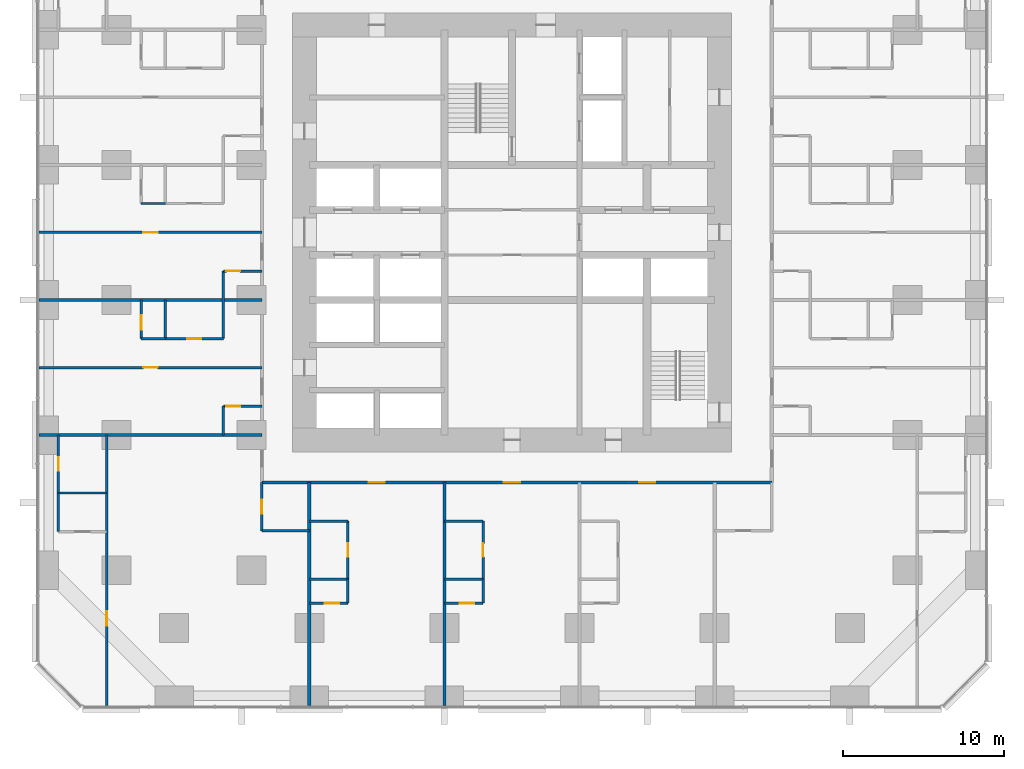
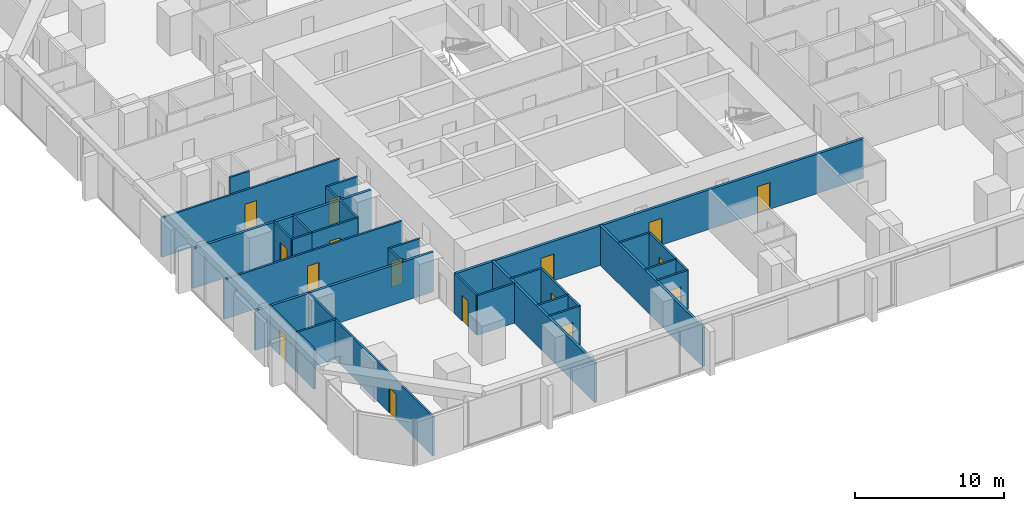
# One storey, part 11 of 17: 32 walls, 16 doors, 16 openings.
"""IFC4 building model written with IfcOpenShell, lengths in metres."""

from ifc_helpers import new_model, si_unit, direction, frame, frame_2d, origin, place, context, subcontext, project, spatial, rectangle, extrude, material, layer, layer_set, type_object, element, fill, save


model = new_model("IFC4")

# Units and contexts
model_context = context("Model", 3, precision=1e-05, world=origin(), true_north=direction((0.0, 1.0)))
body_context = subcontext(model_context, "Body", "Model", "MODEL_VIEW")
ifc_project = project(units=[si_unit("LENGTHUNIT", "METRE"), si_unit("AREAUNIT", "SQUARE_METRE"), si_unit("VOLUMEUNIT", "CUBIC_METRE"), si_unit("PLANEANGLEUNIT", "RADIAN"), si_unit("MASSUNIT", "GRAM", prefix="KILO")], contexts=[model_context])

# Site, building, storey
site_placement = place(None, origin())
site = spatial("IfcSite", under=ifc_project, at=site_placement, CompositionType="ELEMENT")
building_placement = place(site_placement, origin())
building = spatial("IfcBuilding", under=site, at=building_placement, Name="Dunama Terrace Hotel", CompositionType="ELEMENT")
storey_placement = place(building_placement, frame((0.0, 0.0, 55.800048828125)))
storey = spatial("IfcBuildingStorey", under=building, at=storey_placement, Name="L13", CompositionType="ELEMENT", Elevation=55.800048828125)

# Wall, opening, door
ifc_material_1 = material(Name="Gypsum board partition", Category="masonry")
ifc_layer_1 = layer(ifc_material_1, 0.14990234375)
ifc_layer_set_1 = layer_set([ifc_layer_1], Name="Bathroom partition 150")
wall_type_1 = type_object("IfcWallType", Name="Bathroom partition 150", PredefinedType="PARTITIONING", material=ifc_layer_set_1)
wall_1_placement = place(storey_placement, frame((1.199951171875, 13.199951171875, 0.0), z_axis=(0.0, 0.0, 1.0), x_axis=(0.0, 1.0, 0.0)))
wall_1 = element("IfcWall", 1, at=wall_1_placement, inside=storey, type_object=wall_type_1, Name="Bathroom partition 150 L13", PredefinedType="PARTITIONING", context=body_context, shape_type="SweptSolid", body=[
    extrude(rectangle(XDim=3.60009765625, YDim=0.14990234375, at=frame_2d((1.800048828125, 0.0))), origin(), (0.0, 0.0, 1.0), 3.25),
])
opening_1_placement = place(wall_1_placement, frame((1.375, 0.0, 0.0)))
opening_1 = element("IfcOpeningElement", 2, at=opening_1_placement, cuts=wall_1, Name="Opening L13-14-060", PredefinedType="OPENING", context=body_context, shape_type="SweptSolid", body=[
    extrude(rectangle(XDim=0.85009765625, YDim=2.10009765625, at=frame_2d((0.425048828125, 1.050048828125))), frame((0.0, 0.0849609375, 0.0), z_axis=(0.0, -1.0, 0.0), x_axis=(1.0, 0.0, 0.0)), (0.0, 0.0, 1.0), 0.169921875),
])
ifc_material_2 = material(Name="Timber door with steel frame", Category="steel")
door_type_1 = type_object("IfcDoorType", Name="Bathroom door 850", OperationType="SINGLE_SWING_LEFT", PredefinedType="DOOR", material=ifc_material_2)
door_1_placement = place(opening_1_placement, frame((0.85009765625, 0.0, 0.0), z_axis=(0.0, 0.0, 1.0), x_axis=(-1.0, 0.0, 0.0)))
door_1 = element("IfcDoor", 3, at=door_1_placement, inside=storey, type_object=door_type_1, Name="Door to en-suite bathroom L13-14-060, type D2", OperationType="SINGLE_SWING_LEFT", OverallHeight=2.10009765625, OverallWidth=0.85009765625, PredefinedType="DOOR", context=body_context, shape_type="SweptSolid", body=[
    extrude(rectangle(XDim=0.85009765625, YDim=2.10009765625, at=frame_2d((0.425048828125, 1.050048828125))), frame((0.0, 0.025146484375, 0.0), z_axis=(0.0, -1.0, 0.0), x_axis=(1.0, 0.0, 0.0)), (0.0, 0.0, 1.0), 0.050048828125),
])
fill(opening_1, door_1)

# Walls
wall_2_placement = place(storey_placement, frame((11.449951171875, 16.800048828125, 0.0), z_axis=(0.0, 0.0, 1.0), x_axis=(0.0, 1.0, 0.0)))
element("IfcWall", 4, at=wall_2_placement, inside=storey, type_object=wall_type_1, Name="Bathroom partition 150 L13", PredefinedType="PARTITIONING", context=body_context, shape_type="SweptSolid", body=[
    extrude(rectangle(XDim=1.800048828125, YDim=0.14990234375, at=frame_2d((0.89990234375, 0.0))), origin(), (0.0, 0.0, 1.0), 3.25),
])
wall_3_placement = place(storey_placement, frame((11.449951171875, 22.800048828125, 0.0), z_axis=(0.0, 0.0, 1.0), x_axis=(0.0, 1.0, 0.0)))
element("IfcWall", 5, at=wall_3_placement, inside=storey, type_object=wall_type_1, Name="Bathroom partition 150 L13", PredefinedType="PARTITIONING", context=body_context, shape_type="SweptSolid", body=[
    extrude(rectangle(XDim=4.199951171875, YDim=0.14990234375, at=frame_2d((2.10009765625, 0.0))), origin(), (0.0, 0.0, 1.0), 3.25),
])

# Wall, opening, door
wall_4_placement = place(storey_placement, frame((13.85009765625, 10.85009765625, 0.0), z_axis=(0.0, 0.0, 1.0), x_axis=(0.0, 1.0, 0.0)))
wall_4 = element("IfcWall", 6, at=wall_4_placement, inside=storey, type_object=wall_type_1, Name="Bathroom partition 150 L13", PredefinedType="PARTITIONING", context=body_context, shape_type="SweptSolid", body=[
    extrude(rectangle(XDim=3.0, YDim=0.14990234375, at=frame_2d((1.5, 0.0))), origin(), (0.0, 0.0, 1.0), 3.25),
])
opening_2_placement = place(wall_4_placement, frame((1.074951171875, 0.0, 0.0)))
opening_2 = element("IfcOpeningElement", 7, at=opening_2_placement, cuts=wall_4, Name="Opening L13-14-058", PredefinedType="OPENING", context=body_context, shape_type="SweptSolid", body=[
    extrude(rectangle(XDim=0.85009765625, YDim=2.10009765625, at=frame_2d((0.425048828125, 1.050048828125))), frame((0.0, 0.0849609375, 0.0), z_axis=(0.0, -1.0, 0.0), x_axis=(1.0, 0.0, 0.0)), (0.0, 0.0, 1.0), 0.169921875),
])
door_2_placement = place(opening_2_placement, frame((0.85009765625, 0.0, 0.0), z_axis=(0.0, 0.0, 1.0), x_axis=(-1.0, 0.0, 0.0)))
door_2 = element("IfcDoor", 8, at=door_2_placement, inside=storey, type_object=door_type_1, Name="Door to powder room L13-14-058, type D2", OperationType="SINGLE_SWING_LEFT", OverallHeight=2.10009765625, OverallWidth=0.85009765625, PredefinedType="DOOR", context=body_context, shape_type="SweptSolid", body=[
    extrude(rectangle(XDim=0.85009765625, YDim=2.10009765625, at=frame_2d((0.425048828125, 1.050048828125))), frame((0.0, 0.025146484375, 0.0), z_axis=(0.0, -1.0, 0.0), x_axis=(1.0, 0.0, 0.0)), (0.0, 0.0, 1.0), 0.050048828125),
])
fill(opening_2, door_2)

wall_5_placement = place(storey_placement, frame((19.199951171875, 7.85009765625, 0.0), z_axis=(0.0, 0.0, 1.0), x_axis=(0.0, 1.0, 0.0)))
wall_5 = element("IfcWall", 9, at=wall_5_placement, inside=storey, type_object=wall_type_1, Name="Bathroom partition 150 L13", PredefinedType="PARTITIONING", context=body_context, shape_type="SweptSolid", body=[
    extrude(rectangle(XDim=3.599853515625, YDim=0.14990234375, at=frame_2d((1.7998046875, 0.0))), origin(), (0.0, 0.0, 1.0), 3.25),
])
opening_3_placement = place(wall_5_placement, frame((1.375, 0.0, 0.0)))
opening_3 = element("IfcOpeningElement", 10, at=opening_3_placement, cuts=wall_5, Name="Opening L13-14-010", PredefinedType="OPENING", context=body_context, shape_type="SweptSolid", body=[
    extrude(rectangle(XDim=0.85009765625, YDim=2.10009765625, at=frame_2d((0.425048828125, 1.050048828125))), frame((0.0, 0.0849609375, 0.0), z_axis=(0.0, -1.0, 0.0), x_axis=(1.0, 0.0, 0.0)), (0.0, 0.0, 1.0), 0.169921875),
])
door_3_placement = place(opening_3_placement, origin())
door_3 = element("IfcDoor", 11, at=door_3_placement, inside=storey, type_object=door_type_1, Name="Door to en-suite bathroom L13-14-010, type D2", OperationType="SINGLE_SWING_LEFT", OverallHeight=2.10009765625, OverallWidth=0.85009765625, PredefinedType="DOOR", context=body_context, shape_type="SweptSolid", body=[
    extrude(rectangle(XDim=0.85009765625, YDim=2.10009765625, at=frame_2d((0.425048828125, 1.050048828125))), frame((0.0, 0.02490234375, 0.0), z_axis=(0.0, -1.0, 0.0), x_axis=(1.0, 0.0, 0.0)), (0.0, 0.0, 1.0), 0.050048828125),
])
fill(opening_3, door_3)

wall_6_placement = place(storey_placement, frame((27.60009765625, 7.85009765625, 0.0), z_axis=(0.0, 0.0, 1.0), x_axis=(0.0, 1.0, 0.0)))
wall_6 = element("IfcWall", 12, at=wall_6_placement, inside=storey, type_object=wall_type_1, Name="Bathroom partition 150 L13", PredefinedType="PARTITIONING", context=body_context, shape_type="SweptSolid", body=[
    extrude(rectangle(XDim=3.599853515625, YDim=0.14990234375, at=frame_2d((1.7998046875, 0.0))), origin(), (0.0, 0.0, 1.0), 3.25),
])
opening_4_placement = place(wall_6_placement, frame((1.375, 0.0, 0.0)))
opening_4 = element("IfcOpeningElement", 13, at=opening_4_placement, cuts=wall_6, Name="Opening L13-14-013", PredefinedType="OPENING", context=body_context, shape_type="SweptSolid", body=[
    extrude(rectangle(XDim=0.85009765625, YDim=2.10009765625, at=frame_2d((0.425048828125, 1.050048828125))), frame((0.0, 0.0849609375, 0.0), z_axis=(0.0, -1.0, 0.0), x_axis=(1.0, 0.0, 0.0)), (0.0, 0.0, 1.0), 0.169921875),
])
door_4_placement = place(opening_4_placement, origin())
door_4 = element("IfcDoor", 14, at=door_4_placement, inside=storey, type_object=door_type_1, Name="Door to en-suite bathroom L13-14-013, type D2", OperationType="SINGLE_SWING_LEFT", OverallHeight=2.10009765625, OverallWidth=0.85009765625, PredefinedType="DOOR", context=body_context, shape_type="SweptSolid", body=[
    extrude(rectangle(XDim=0.85009765625, YDim=2.10009765625, at=frame_2d((0.425048828125, 1.050048828125))), frame((0.0, 0.02490234375, 0.0), z_axis=(0.0, -1.0, 0.0), x_axis=(1.0, 0.0, 0.0)), (0.0, 0.0, 1.0), 0.050048828125),
])
fill(opening_4, door_4)

# Walls
wall_7_placement = place(storey_placement, frame((13.85009765625, 10.85009765625, 0.0), z_axis=(0.0, 0.0, 1.0), x_axis=(1.0, 0.0, 0.0)))
element("IfcWall", 15, at=wall_7_placement, inside=storey, type_object=wall_type_1, Name="Bathroom partition 150 L13", PredefinedType="PARTITIONING", context=body_context, shape_type="SweptSolid", body=[
    extrude(rectangle(XDim=2.949951171875, YDim=0.14990234375, at=frame_2d((1.47509765625, 0.0))), origin(), (0.0, 0.0, 1.0), 3.25),
])
wall_8_placement = place(storey_placement, frame((16.800048828125, 11.449951171875, 0.0), z_axis=(0.0, 0.0, 1.0), x_axis=(1.0, 0.0, 0.0)))
element("IfcWall", 16, at=wall_8_placement, inside=storey, type_object=wall_type_1, Name="Bathroom partition 150 L13", PredefinedType="PARTITIONING", context=body_context, shape_type="SweptSolid", body=[
    extrude(rectangle(XDim=2.39990234375, YDim=0.14990234375, at=frame_2d((1.199951171875, 0.0))), origin(), (0.0, 0.0, 1.0), 3.25),
])
wall_9_placement = place(storey_placement, frame((25.199951171875, 11.449951171875, 0.0), z_axis=(0.0, 0.0, 1.0), x_axis=(1.0, 0.0, 0.0)))
element("IfcWall", 17, at=wall_9_placement, inside=storey, type_object=wall_type_1, Name="Bathroom partition 150 L13", PredefinedType="PARTITIONING", context=body_context, shape_type="SweptSolid", body=[
    extrude(rectangle(XDim=2.400146484375, YDim=0.14990234375, at=frame_2d((1.2001953125, 0.0))), origin(), (0.0, 0.0, 1.0), 3.25),
])

# Wall, opening, door
wall_10_placement = place(storey_placement, frame((11.449951171875, 18.60009765625, 0.0), z_axis=(0.0, 0.0, 1.0), x_axis=(1.0, 0.0, 0.0)))
wall_10 = element("IfcWall", 18, at=wall_10_placement, inside=storey, type_object=wall_type_1, Name="Bathroom partition 150 L13", PredefinedType="PARTITIONING", context=body_context, shape_type="SweptSolid", body=[
    extrude(rectangle(XDim=2.400146484375, YDim=0.14990234375, at=frame_2d((1.2001953125, 0.0))), origin(), (0.0, 0.0, 1.0), 3.25),
])
opening_5_placement = place(wall_10_placement, frame((0.199951171875, 0.0, 0.0)))
opening_5 = element("IfcOpeningElement", 19, at=opening_5_placement, cuts=wall_10, Name="Opening L13-14-043", PredefinedType="OPENING", context=body_context, shape_type="SweptSolid", body=[
    extrude(rectangle(XDim=0.85009765625, YDim=2.10009765625, at=frame_2d((0.425048828125, 1.050048828125))), frame((0.0, 0.0849609375, 0.0), z_axis=(0.0, -1.0, 0.0), x_axis=(1.0, 0.0, 0.0)), (0.0, 0.0, 1.0), 0.169921875),
])
door_5_placement = place(opening_5_placement, frame((0.85009765625, 0.0, 0.0), z_axis=(0.0, 0.0, 1.0), x_axis=(-1.0, 0.0, 0.0)))
door_5 = element("IfcDoor", 20, at=door_5_placement, inside=storey, type_object=door_type_1, Name="Door to powder room L13-14-043, type D2", OperationType="SINGLE_SWING_LEFT", OverallHeight=2.10009765625, OverallWidth=0.85009765625, PredefinedType="DOOR", context=body_context, shape_type="SweptSolid", body=[
    extrude(rectangle(XDim=0.85009765625, YDim=2.10009765625, at=frame_2d((0.425048828125, 1.050048828125))), frame((0.0, 0.025146484375, 0.0), z_axis=(0.0, -1.0, 0.0), x_axis=(1.0, 0.0, 0.0)), (0.0, 0.0, 1.0), 0.050048828125),
])
fill(opening_5, door_5)

wall_11_placement = place(storey_placement, frame((7.85009765625, 22.800048828125, 0.0), z_axis=(0.0, 0.0, 1.0), x_axis=(1.0, 0.0, 0.0)))
wall_11 = element("IfcWall", 21, at=wall_11_placement, inside=storey, type_object=wall_type_1, Name="Bathroom partition 150 L13", PredefinedType="PARTITIONING", context=body_context, shape_type="SweptSolid", body=[
    extrude(rectangle(XDim=3.599853515625, YDim=0.14990234375, at=frame_2d((1.7998046875, 0.0))), origin(), (0.0, 0.0, 1.0), 3.25),
])
opening_6_placement = place(wall_11_placement, frame((1.375, 0.0, 0.0)))
opening_6 = element("IfcOpeningElement", 22, at=opening_6_placement, cuts=wall_11, Name="Opening L13-14-045", PredefinedType="OPENING", context=body_context, shape_type="SweptSolid", body=[
    extrude(rectangle(XDim=0.85009765625, YDim=2.10009765625, at=frame_2d((0.425048828125, 1.050048828125))), frame((0.0, 0.0849609375, 0.0), z_axis=(0.0, -1.0, 0.0), x_axis=(1.0, 0.0, 0.0)), (0.0, 0.0, 1.0), 0.169921875),
])
door_6_placement = place(opening_6_placement, origin())
door_6 = element("IfcDoor", 23, at=door_6_placement, inside=storey, type_object=door_type_1, Name="Door to en-suite bathroom L13-14-045, type D2", OperationType="SINGLE_SWING_LEFT", OverallHeight=2.10009765625, OverallWidth=0.85009765625, PredefinedType="DOOR", context=body_context, shape_type="SweptSolid", body=[
    extrude(rectangle(XDim=0.85009765625, YDim=2.10009765625, at=frame_2d((0.425048828125, 1.050048828125))), frame((0.0, 0.02490234375, 0.0), z_axis=(0.0, -1.0, 0.0), x_axis=(1.0, 0.0, 0.0)), (0.0, 0.0, 1.0), 0.050048828125),
])
fill(opening_6, door_6)

wall_12_placement = place(storey_placement, frame((11.449951171875, 27.0, 0.0), z_axis=(0.0, 0.0, 1.0), x_axis=(1.0, 0.0, 0.0)))
wall_12 = element("IfcWall", 24, at=wall_12_placement, inside=storey, type_object=wall_type_1, Name="Bathroom partition 150 L13", PredefinedType="PARTITIONING", context=body_context, shape_type="SweptSolid", body=[
    extrude(rectangle(XDim=2.400146484375, YDim=0.14990234375, at=frame_2d((1.2001953125, 0.0))), origin(), (0.0, 0.0, 1.0), 3.25),
])
opening_7_placement = place(wall_12_placement, frame((0.199951171875, 0.0, 0.0)))
opening_7 = element("IfcOpeningElement", 25, at=opening_7_placement, cuts=wall_12, Name="Opening L13-14-048", PredefinedType="OPENING", context=body_context, shape_type="SweptSolid", body=[
    extrude(rectangle(XDim=0.85009765625, YDim=2.10009765625, at=frame_2d((0.425048828125, 1.050048828125))), frame((0.0, 0.0849609375, 0.0), z_axis=(0.0, -1.0, 0.0), x_axis=(1.0, 0.0, 0.0)), (0.0, 0.0, 1.0), 0.169921875),
])
door_7_placement = place(opening_7_placement, frame((0.85009765625, 0.0, 0.0), z_axis=(0.0, 0.0, 1.0), x_axis=(-1.0, 0.0, 0.0)))
door_7 = element("IfcDoor", 26, at=door_7_placement, inside=storey, type_object=door_type_1, Name="Door to powder room L13-14-048, type D2", OperationType="SINGLE_SWING_LEFT", OverallHeight=2.10009765625, OverallWidth=0.85009765625, PredefinedType="DOOR", context=body_context, shape_type="SweptSolid", body=[
    extrude(rectangle(XDim=0.85009765625, YDim=2.10009765625, at=frame_2d((0.425048828125, 1.050048828125))), frame((0.0, 0.025146484375, 0.0), z_axis=(0.0, -1.0, 0.0), x_axis=(1.0, 0.0, 0.0)), (0.0, 0.0, 1.0), 0.050048828125),
])
fill(opening_7, door_7)

# Wall, openings, doors
ifc_material_3 = material(Name="Concrete blockwork", Category="masonry")
ifc_layer_2 = layer(ifc_material_3, 0.199951171875)
ifc_layer_set_2 = layer_set([ifc_layer_2], Name="Corridor partition 200")
wall_type_2 = type_object("IfcWallType", Name="Corridor partition 200", PredefinedType="PARTITIONING", material=ifc_layer_set_2)
wall_13_placement = place(storey_placement, frame((45.550048828125, 13.85009765625, 0.0), z_axis=(0.0, 0.0, 1.0), x_axis=(-1.0, 0.0, 0.0)))
wall_13 = element("IfcWall", 27, at=wall_13_placement, inside=storey, type_object=wall_type_2, Name="Corridor partition 200 L13", PredefinedType="PARTITIONING", context=body_context, shape_type="SweptSolid", body=[
    extrude(rectangle(XDim=31.699951171875, YDim=0.199951171875, at=frame_2d((15.85009765625, 0.0))), origin(), (0.0, 0.0, 1.0), 3.25),
])
opening_8_placement = place(wall_13_placement, frame((24.050048828125, 0.0, 0.0)))
opening_8 = element("IfcOpeningElement", 28, at=opening_8_placement, cuts=wall_13, Name="Opening L13-14-009", PredefinedType="OPENING", context=body_context, shape_type="SweptSolid", body=[
    extrude(rectangle(XDim=1.0, YDim=2.199951171875, at=frame_2d((0.5, 1.10009765625))), frame((0.0, 0.10986328125, 0.0), z_axis=(0.0, -1.0, 0.0), x_axis=(1.0, 0.0, 0.0)), (0.0, 0.0, 1.0), 0.219970703125),
])
opening_9_placement = place(wall_13_placement, frame((15.64990234375, 0.0, 0.0)))
opening_9 = element("IfcOpeningElement", 29, at=opening_9_placement, cuts=wall_13, Name="Opening L13-14-012", PredefinedType="OPENING", context=body_context, shape_type="SweptSolid", body=[
    extrude(rectangle(XDim=1.0, YDim=2.199951171875, at=frame_2d((0.5, 1.10009765625))), frame((0.0, 0.10986328125, 0.0), z_axis=(0.0, -1.0, 0.0), x_axis=(1.0, 0.0, 0.0)), (0.0, 0.0, 1.0), 0.219970703125),
])
opening_10_placement = place(wall_13_placement, frame((7.25, 0.0, 0.0)))
opening_10 = element("IfcOpeningElement", 30, at=opening_10_placement, cuts=wall_13, Name="Opening L13-14-015", PredefinedType="OPENING", context=body_context, shape_type="SweptSolid", body=[
    extrude(rectangle(XDim=1.0, YDim=2.199951171875, at=frame_2d((0.5, 1.10009765625))), frame((0.0, 0.10986328125, 0.0), z_axis=(0.0, -1.0, 0.0), x_axis=(1.0, 0.0, 0.0)), (0.0, 0.0, 1.0), 0.219970703125),
])
ifc_material_4 = material(Name="Timber door with steel frame", Category="steel")
door_type_2 = type_object("IfcDoorType", Name="Guest room door 1000", OperationType="SINGLE_SWING_LEFT", PredefinedType="DOOR", material=ifc_material_4)
door_8_placement = place(opening_8_placement, origin())
door_8 = element("IfcDoor", 31, at=door_8_placement, inside=storey, type_object=door_type_2, Name="Door to junior suite L13-14-009, type D1", OperationType="SINGLE_SWING_RIGHT", OverallHeight=2.199951171875, OverallWidth=1.0, PredefinedType="DOOR", context=body_context, shape_type="SweptSolid", body=[
    extrude(rectangle(XDim=1.0, YDim=2.199951171875, at=frame_2d((0.5, 1.10009765625))), frame((0.0, 0.02490234375, 0.0), z_axis=(0.0, -1.0, 0.0), x_axis=(1.0, 0.0, 0.0)), (0.0, 0.0, 1.0), 0.050048828125),
])
fill(opening_8, door_8)
door_9_placement = place(opening_9_placement, origin())
door_9 = element("IfcDoor", 32, at=door_9_placement, inside=storey, type_object=door_type_2, Name="Door to junior suite L13-14-012, type D1", OperationType="SINGLE_SWING_RIGHT", OverallHeight=2.199951171875, OverallWidth=1.0, PredefinedType="DOOR", context=body_context, shape_type="SweptSolid", body=[
    extrude(rectangle(XDim=1.0, YDim=2.199951171875, at=frame_2d((0.5, 1.10009765625))), frame((0.0, 0.02490234375, 0.0), z_axis=(0.0, -1.0, 0.0), x_axis=(1.0, 0.0, 0.0)), (0.0, 0.0, 1.0), 0.050048828125),
])
fill(opening_9, door_9)
door_10_placement = place(opening_10_placement, origin())
door_10 = element("IfcDoor", 33, at=door_10_placement, inside=storey, type_object=door_type_2, Name="Door to junior suite L13-14-015, type D1", OperationType="SINGLE_SWING_RIGHT", OverallHeight=2.199951171875, OverallWidth=1.0, PredefinedType="DOOR", context=body_context, shape_type="SweptSolid", body=[
    extrude(rectangle(XDim=1.0, YDim=2.199951171875, at=frame_2d((0.5, 1.10009765625))), frame((0.0, 0.02490234375, 0.0), z_axis=(0.0, -1.0, 0.0), x_axis=(1.0, 0.0, 0.0)), (0.0, 0.0, 1.0), 0.050048828125),
])
fill(opening_10, door_10)

# Walls
ifc_material_5 = material(Name="Concrete blockwork", Category="masonry")
ifc_layer_3 = layer(ifc_material_5, 0.199951171875)
ifc_layer_set_3 = layer_set([ifc_layer_3], Name="Party wall 200")
wall_type_3 = type_object("IfcWallType", Name="Party wall 200", PredefinedType="PARTITIONING", material=ifc_layer_set_3)
for number, where, z_axis, x_axis, name in (
    (34, (16.800048828125, -0.008056640625, 0.0), (0.0, 0.0, 1.0), (0.0, 1.0, 0.0), "Party wall 200 L13"),
    (35, (25.199951171875, -0.008056640625, 0.0), (0.0, 0.0, 1.0), (0.0, 1.0, 0.0), "Party wall 200 L13"),
    (36, (-0.008056640625, 16.800048828125, 0.0), (0.0, 0.0, 1.0), (1.0, 0.0, 0.0), "Party wall 200 L13"),
    (37, (-0.008056640625, 25.199951171875, 0.0), (0.0, 0.0, 1.0), (1.0, 0.0, 0.0), "Party wall 200 L13"),
):
    element("IfcWall", number, at=place(storey_placement, frame(where, z_axis=z_axis, x_axis=x_axis)), inside=storey, type_object=wall_type_3, Name=name, PredefinedType="PARTITIONING", context=body_context, shape_type="SweptSolid", body=[
        extrude(rectangle(XDim=13.858154296875, YDim=0.199951171875, at=frame_2d((6.92919921875, 0.0))), origin(), (0.0, 0.0, 1.0), 3.25),
    ])
ifc_material_6 = material(Name="Gypsum board partition", Category="masonry")
ifc_layer_4 = layer(ifc_material_6, 0.14990234375)
ifc_layer_set_4 = layer_set([ifc_layer_4], Name="Room partition 150")
wall_type_4 = type_object("IfcWallType", Name="Room partition 150", PredefinedType="PARTITIONING", material=ifc_layer_set_4)
wall_14_placement = place(storey_placement, frame((1.199951171875, 10.800048828125, 0.0), z_axis=(0.0, 0.0, 1.0), x_axis=(0.0, 1.0, 0.0)))
element("IfcWall", 38, at=wall_14_placement, inside=storey, type_object=wall_type_4, Name="Room partition 150 L13", PredefinedType="PARTITIONING", context=body_context, shape_type="SweptSolid", body=[
    extrude(rectangle(XDim=2.39990234375, YDim=0.14990234375, at=frame_2d((1.199951171875, 0.0))), origin(), (0.0, 0.0, 1.0), 3.25),
])

# Wall, opening, door
wall_15_placement = place(storey_placement, frame((4.199951171875, -0.008056640625, 0.0), z_axis=(0.0, 0.0, 1.0), x_axis=(0.0, 1.0, 0.0)))
wall_15 = element("IfcWall", 39, at=wall_15_placement, inside=storey, type_object=wall_type_4, Name="Room partition 150 L13", PredefinedType="PARTITIONING", context=body_context, shape_type="SweptSolid", body=[
    extrude(rectangle(XDim=16.80810546875, YDim=0.14990234375, at=frame_2d((8.404052734375, 0.0))), origin(), (0.0, 0.0, 1.0), 3.25),
])
opening_11_placement = place(wall_15_placement, frame((4.9580078125, 0.0, 0.0)))
opening_11 = element("IfcOpeningElement", 40, at=opening_11_placement, cuts=wall_15, Name="Opening L13-14-059", PredefinedType="OPENING", context=body_context, shape_type="SweptSolid", body=[
    extrude(rectangle(XDim=0.89990234375, YDim=2.10009765625, at=frame_2d((0.449951171875, 1.050048828125))), frame((0.0, 0.0849609375, 0.0), z_axis=(0.0, -1.0, 0.0), x_axis=(1.0, 0.0, 0.0)), (0.0, 0.0, 1.0), 0.169921875),
])
ifc_material_7 = material(Name="Timber door with steel frame", Category="steel")
door_type_3 = type_object("IfcDoorType", Name="Suite internal door 900", OperationType="SINGLE_SWING_LEFT", PredefinedType="DOOR", material=ifc_material_7)
door_11_placement = place(opening_11_placement, origin())
door_11 = element("IfcDoor", 41, at=door_11_placement, inside=storey, type_object=door_type_3, Name="Door to corner suite bedroom L13-14-059, type D16", OperationType="SINGLE_SWING_RIGHT", OverallHeight=2.10009765625, OverallWidth=0.89990234375, PredefinedType="DOOR", context=body_context, shape_type="SweptSolid", body=[
    extrude(rectangle(XDim=0.89990234375, YDim=2.10009765625, at=frame_2d((0.449951171875, 1.050048828125))), frame((0.0, 0.02490234375, 0.0), z_axis=(0.0, -1.0, 0.0), x_axis=(1.0, 0.0, 0.0)), (0.0, 0.0, 1.0), 0.050048828125),
])
fill(opening_11, door_11)

wall_16_placement = place(storey_placement, frame((6.35009765625, 22.800048828125, 0.0), z_axis=(0.0, 0.0, 1.0), x_axis=(0.0, 1.0, 0.0)))
wall_16 = element("IfcWall", 42, at=wall_16_placement, inside=storey, type_object=wall_type_4, Name="Room partition 150 L13", PredefinedType="PARTITIONING", context=body_context, shape_type="SweptSolid", body=[
    extrude(rectangle(XDim=2.39990234375, YDim=0.14990234375, at=frame_2d((1.199951171875, 0.0))), origin(), (0.0, 0.0, 1.0), 3.25),
])
opening_12_placement = place(wall_16_placement, frame((0.550048828125, 0.0, 0.0)))
opening_12 = element("IfcOpeningElement", 43, at=opening_12_placement, cuts=wall_16, Name="Opening L13-14-046", PredefinedType="OPENING", context=body_context, shape_type="SweptSolid", body=[
    extrude(rectangle(XDim=0.89990234375, YDim=2.10009765625, at=frame_2d((0.449951171875, 1.050048828125))), frame((0.0, 0.0849609375, 0.0), z_axis=(0.0, -1.0, 0.0), x_axis=(1.0, 0.0, 0.0)), (0.0, 0.0, 1.0), 0.169921875),
])
door_12_placement = place(opening_12_placement, frame((0.89990234375, 0.0, 0.0), z_axis=(0.0, 0.0, 1.0), x_axis=(-1.0, 0.0, 0.0)))
door_12 = element("IfcDoor", 44, at=door_12_placement, inside=storey, type_object=door_type_3, Name="Door to walk-in wardrobe L13-14-046, type D16", OperationType="SINGLE_SWING_RIGHT", OverallHeight=2.10009765625, OverallWidth=0.89990234375, PredefinedType="DOOR", context=body_context, shape_type="SweptSolid", body=[
    extrude(rectangle(XDim=0.89990234375, YDim=2.10009765625, at=frame_2d((0.449951171875, 1.050048828125))), frame((0.0, 0.025146484375, 0.0), z_axis=(0.0, -1.0, 0.0), x_axis=(1.0, 0.0, 0.0)), (0.0, 0.0, 1.0), 0.050048828125),
])
fill(opening_12, door_12)

# Walls
wall_17_placement = place(storey_placement, frame((7.85009765625, 22.800048828125, 0.0), z_axis=(0.0, 0.0, 1.0), x_axis=(0.0, 1.0, 0.0)))
element("IfcWall", 45, at=wall_17_placement, inside=storey, type_object=wall_type_4, Name="Room partition 150 L13", PredefinedType="PARTITIONING", context=body_context, shape_type="SweptSolid", body=[
    extrude(rectangle(XDim=2.39990234375, YDim=0.14990234375, at=frame_2d((1.199951171875, 0.0))), origin(), (0.0, 0.0, 1.0), 3.25),
])
for number, where, z_axis, x_axis, name in (
    (46, (19.199951171875, 6.35009765625, 0.0), (0.0, 0.0, 1.0), (0.0, 1.0, 0.0), "Room partition 150 L13"),
    (47, (27.60009765625, 6.35009765625, 0.0), (0.0, 0.0, 1.0), (0.0, 1.0, 0.0), "Room partition 150 L13"),
):
    element("IfcWall", number, at=place(storey_placement, frame(where, z_axis=z_axis, x_axis=x_axis)), inside=storey, type_object=wall_type_4, Name=name, PredefinedType="PARTITIONING", context=body_context, shape_type="SweptSolid", body=[
        extrude(rectangle(XDim=1.5, YDim=0.14990234375, at=frame_2d((0.75, 0.0))), origin(), (0.0, 0.0, 1.0), 3.25),
    ])

# Wall, opening, door
wall_18_placement = place(storey_placement, frame((16.800048828125, 6.35009765625, 0.0), z_axis=(0.0, 0.0, 1.0), x_axis=(1.0, 0.0, 0.0)))
wall_18 = element("IfcWall", 48, at=wall_18_placement, inside=storey, type_object=wall_type_4, Name="Room partition 150 L13", PredefinedType="PARTITIONING", context=body_context, shape_type="SweptSolid", body=[
    extrude(rectangle(XDim=2.39990234375, YDim=0.14990234375, at=frame_2d((1.199951171875, 0.0))), origin(), (0.0, 0.0, 1.0), 3.25),
])
opening_13_placement = place(wall_18_placement, frame((0.949951171875, 0.0, 0.0)))
opening_13 = element("IfcOpeningElement", 49, at=opening_13_placement, cuts=wall_18, Name="Opening L13-14-011", PredefinedType="OPENING", context=body_context, shape_type="SweptSolid", body=[
    extrude(rectangle(XDim=0.89990234375, YDim=2.10009765625, at=frame_2d((0.449951171875, 1.050048828125))), frame((0.0, 0.0849609375, 0.0), z_axis=(0.0, -1.0, 0.0), x_axis=(1.0, 0.0, 0.0)), (0.0, 0.0, 1.0), 0.169921875),
])
door_13_placement = place(opening_13_placement, origin())
door_13 = element("IfcDoor", 50, at=door_13_placement, inside=storey, type_object=door_type_3, Name="Door to walk-in wardrobe L13-14-011, type D16", OperationType="SINGLE_SWING_RIGHT", OverallHeight=2.10009765625, OverallWidth=0.89990234375, PredefinedType="DOOR", context=body_context, shape_type="SweptSolid", body=[
    extrude(rectangle(XDim=0.89990234375, YDim=2.10009765625, at=frame_2d((0.449951171875, 1.050048828125))), frame((0.0, 0.02490234375, 0.0), z_axis=(0.0, -1.0, 0.0), x_axis=(1.0, 0.0, 0.0)), (0.0, 0.0, 1.0), 0.050048828125),
])
fill(opening_13, door_13)

wall_19_placement = place(storey_placement, frame((25.199951171875, 6.35009765625, 0.0), z_axis=(0.0, 0.0, 1.0), x_axis=(1.0, 0.0, 0.0)))
wall_19 = element("IfcWall", 51, at=wall_19_placement, inside=storey, type_object=wall_type_4, Name="Room partition 150 L13", PredefinedType="PARTITIONING", context=body_context, shape_type="SweptSolid", body=[
    extrude(rectangle(XDim=2.400146484375, YDim=0.14990234375, at=frame_2d((1.2001953125, 0.0))), origin(), (0.0, 0.0, 1.0), 3.25),
])
opening_14_placement = place(wall_19_placement, frame((0.949951171875, 0.0, 0.0)))
opening_14 = element("IfcOpeningElement", 52, at=opening_14_placement, cuts=wall_19, Name="Opening L13-14-014", PredefinedType="OPENING", context=body_context, shape_type="SweptSolid", body=[
    extrude(rectangle(XDim=0.89990234375, YDim=2.10009765625, at=frame_2d((0.449951171875, 1.050048828125))), frame((0.0, 0.0849609375, 0.0), z_axis=(0.0, -1.0, 0.0), x_axis=(1.0, 0.0, 0.0)), (0.0, 0.0, 1.0), 0.169921875),
])
door_14_placement = place(opening_14_placement, origin())
door_14 = element("IfcDoor", 53, at=door_14_placement, inside=storey, type_object=door_type_3, Name="Door to walk-in wardrobe L13-14-014, type D16", OperationType="SINGLE_SWING_RIGHT", OverallHeight=2.10009765625, OverallWidth=0.89990234375, PredefinedType="DOOR", context=body_context, shape_type="SweptSolid", body=[
    extrude(rectangle(XDim=0.89990234375, YDim=2.10009765625, at=frame_2d((0.449951171875, 1.050048828125))), frame((0.0, 0.02490234375, 0.0), z_axis=(0.0, -1.0, 0.0), x_axis=(1.0, 0.0, 0.0)), (0.0, 0.0, 1.0), 0.050048828125),
])
fill(opening_14, door_14)

# Walls
wall_20_placement = place(storey_placement, frame((16.800048828125, 7.85009765625, 0.0), z_axis=(0.0, 0.0, 1.0), x_axis=(1.0, 0.0, 0.0)))
element("IfcWall", 54, at=wall_20_placement, inside=storey, type_object=wall_type_4, Name="Room partition 150 L13", PredefinedType="PARTITIONING", context=body_context, shape_type="SweptSolid", body=[
    extrude(rectangle(XDim=2.39990234375, YDim=0.14990234375, at=frame_2d((1.199951171875, 0.0))), origin(), (0.0, 0.0, 1.0), 3.25),
])
wall_21_placement = place(storey_placement, frame((25.199951171875, 7.85009765625, 0.0), z_axis=(0.0, 0.0, 1.0), x_axis=(1.0, 0.0, 0.0)))
element("IfcWall", 55, at=wall_21_placement, inside=storey, type_object=wall_type_4, Name="Room partition 150 L13", PredefinedType="PARTITIONING", context=body_context, shape_type="SweptSolid", body=[
    extrude(rectangle(XDim=2.400146484375, YDim=0.14990234375, at=frame_2d((1.2001953125, 0.0))), origin(), (0.0, 0.0, 1.0), 3.25),
])
wall_22_placement = place(storey_placement, frame((1.199951171875, 13.199951171875, 0.0), z_axis=(0.0, 0.0, 1.0), x_axis=(1.0, 0.0, 0.0)))
element("IfcWall", 56, at=wall_22_placement, inside=storey, type_object=wall_type_4, Name="Room partition 150 L13", PredefinedType="PARTITIONING", context=body_context, shape_type="SweptSolid", body=[
    extrude(rectangle(XDim=3.0, YDim=0.14990234375, at=frame_2d((1.5, 0.0))), origin(), (0.0, 0.0, 1.0), 3.25),
])

# Wall, opening, door
wall_23_placement = place(storey_placement, frame((-0.008056640625, 21.0, 0.0), z_axis=(0.0, 0.0, 1.0), x_axis=(1.0, 0.0, 0.0)))
wall_23 = element("IfcWall", 57, at=wall_23_placement, inside=storey, type_object=wall_type_4, Name="Room partition 150 L13", PredefinedType="PARTITIONING", context=body_context, shape_type="SweptSolid", body=[
    extrude(rectangle(XDim=13.858154296875, YDim=0.14990234375, at=frame_2d((6.92919921875, 0.0))), origin(), (0.0, 0.0, 1.0), 3.25),
])
opening_15_placement = place(wall_23_placement, frame((6.48291015625, 0.0, 0.0)))
opening_15 = element("IfcOpeningElement", 58, at=opening_15_placement, cuts=wall_23, Name="Opening L13-14-044", PredefinedType="OPENING", context=body_context, shape_type="SweptSolid", body=[
    extrude(rectangle(XDim=0.89990234375, YDim=2.10009765625, at=frame_2d((0.449951171875, 1.050048828125))), frame((0.0, 0.0849609375, 0.0), z_axis=(0.0, -1.0, 0.0), x_axis=(1.0, 0.0, 0.0)), (0.0, 0.0, 1.0), 0.169921875),
])
door_15_placement = place(opening_15_placement, origin())
door_15 = element("IfcDoor", 59, at=door_15_placement, inside=storey, type_object=door_type_3, Name="Door to executive suite bedroom L13-14-044, type D16", OperationType="SINGLE_SWING_LEFT", OverallHeight=2.10009765625, OverallWidth=0.89990234375, PredefinedType="DOOR", context=body_context, shape_type="SweptSolid", body=[
    extrude(rectangle(XDim=0.89990234375, YDim=2.10009765625, at=frame_2d((0.449951171875, 1.050048828125))), frame((0.0, 0.02490234375, 0.0), z_axis=(0.0, -1.0, 0.0), x_axis=(1.0, 0.0, 0.0)), (0.0, 0.0, 1.0), 0.050048828125),
])
fill(opening_15, door_15)

# Wall
wall_24_placement = place(storey_placement, frame((6.35009765625, 22.800048828125, 0.0), z_axis=(0.0, 0.0, 1.0), x_axis=(1.0, 0.0, 0.0)))
element("IfcWall", 60, at=wall_24_placement, inside=storey, type_object=wall_type_4, Name="Room partition 150 L13", PredefinedType="PARTITIONING", context=body_context, shape_type="SweptSolid", body=[
    extrude(rectangle(XDim=1.5, YDim=0.14990234375, at=frame_2d((0.75, 0.0))), origin(), (0.0, 0.0, 1.0), 3.25),
])

# Wall, opening, door
wall_25_placement = place(storey_placement, frame((-0.008056640625, 29.39990234375, 0.0), z_axis=(0.0, 0.0, 1.0), x_axis=(1.0, 0.0, 0.0)))
wall_25 = element("IfcWall", 61, at=wall_25_placement, inside=storey, type_object=wall_type_4, Name="Room partition 150 L13", PredefinedType="PARTITIONING", context=body_context, shape_type="SweptSolid", body=[
    extrude(rectangle(XDim=13.858154296875, YDim=0.14990234375, at=frame_2d((6.92919921875, 0.0))), origin(), (0.0, 0.0, 1.0), 3.25),
])
opening_16_placement = place(wall_25_placement, frame((6.48291015625, 0.0, 0.0)))
opening_16 = element("IfcOpeningElement", 62, at=opening_16_placement, cuts=wall_25, Name="Opening L13-14-049", PredefinedType="OPENING", context=body_context, shape_type="SweptSolid", body=[
    extrude(rectangle(XDim=0.89990234375, YDim=2.10009765625, at=frame_2d((0.449951171875, 1.050048828125))), frame((0.0, 0.0849609375, 0.0), z_axis=(0.0, -1.0, 0.0), x_axis=(1.0, 0.0, 0.0)), (0.0, 0.0, 1.0), 0.169921875),
])
door_16_placement = place(opening_16_placement, origin())
door_16 = element("IfcDoor", 63, at=door_16_placement, inside=storey, type_object=door_type_3, Name="Door to executive suite bedroom L13-14-049, type D16", OperationType="SINGLE_SWING_LEFT", OverallHeight=2.10009765625, OverallWidth=0.89990234375, PredefinedType="DOOR", context=body_context, shape_type="SweptSolid", body=[
    extrude(rectangle(XDim=0.89990234375, YDim=2.10009765625, at=frame_2d((0.449951171875, 1.050048828125))), frame((0.0, 0.02490234375, 0.0), z_axis=(0.0, -1.0, 0.0), x_axis=(1.0, 0.0, 0.0)), (0.0, 0.0, 1.0), 0.050048828125),
])
fill(opening_16, door_16)

# Wall
wall_26_placement = place(storey_placement, frame((6.35009765625, 31.199951171875, 0.0), z_axis=(0.0, 0.0, 1.0), x_axis=(1.0, 0.0, 0.0)))
element("IfcWall", 64, at=wall_26_placement, inside=storey, type_object=wall_type_4, Name="Room partition 150 L13", PredefinedType="PARTITIONING", context=body_context, shape_type="SweptSolid", body=[
    extrude(rectangle(XDim=1.5, YDim=0.14990234375, at=frame_2d((0.75, 0.0))), origin(), (0.0, 0.0, 1.0), 3.25),
])

save(model, "model.ifc")
